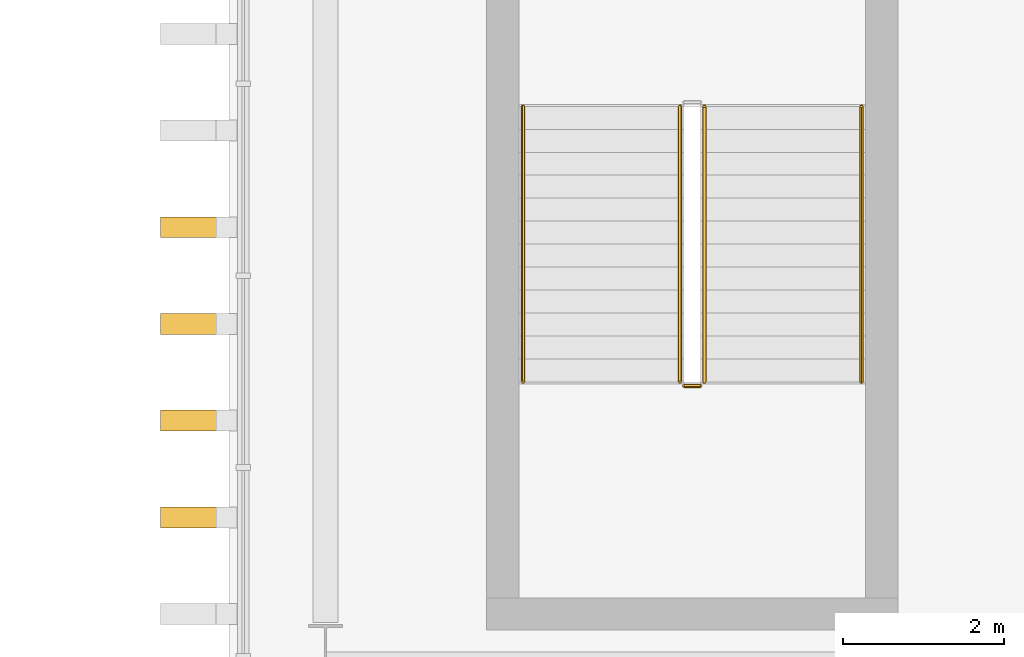
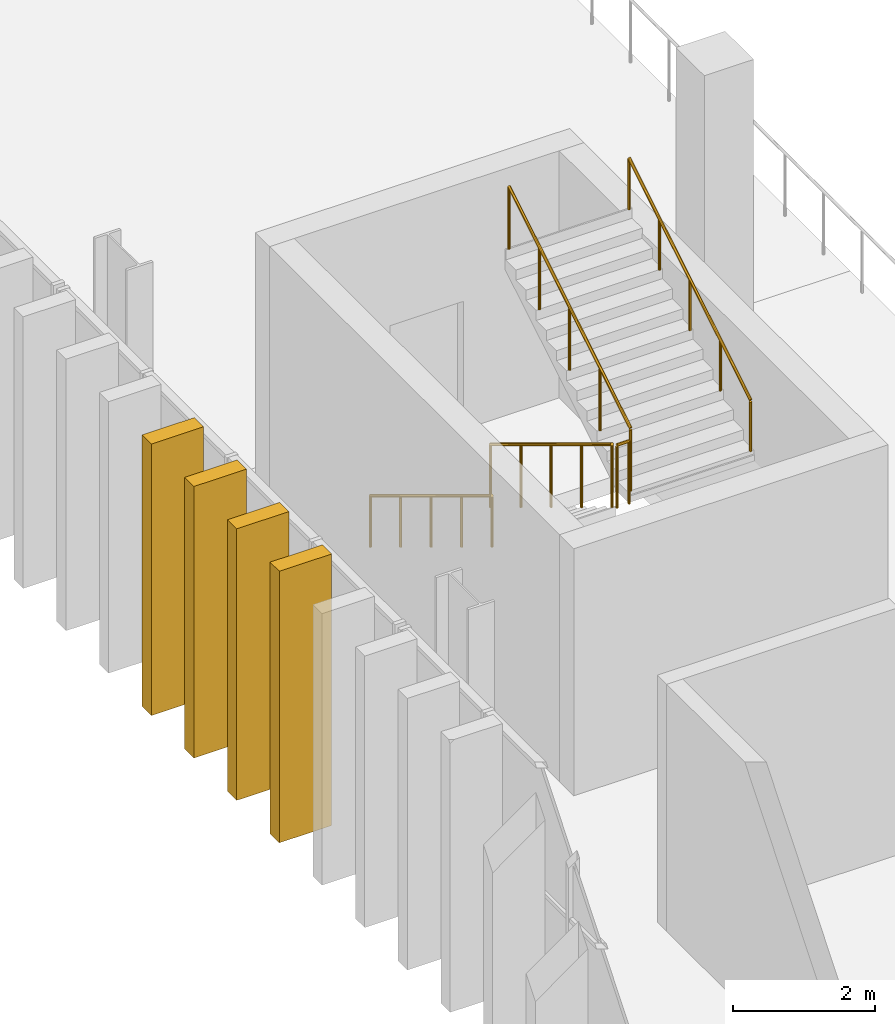
# One storey, part 62 of 75: 5 railings, 4 coverings.
"""IFC4 building model written with IfcOpenShell, lengths in metres."""

from ifc_helpers import new_model, si_unit, direction, frame, origin, origin_2d, place, context, subcontext, project, spatial, rectangle, circle, extrude, material, material_profile, profile_set, type_object, element, save


model = new_model("IFC4")

# Units and contexts
model_context = context("Model", 3, precision=1e-05, world=origin(), true_north=direction((0.0, 1.0)))
body_context = subcontext(model_context, "Body", "Model", "MODEL_VIEW")
ifc_project = project(units=[si_unit("LENGTHUNIT", "METRE"), si_unit("AREAUNIT", "SQUARE_METRE"), si_unit("VOLUMEUNIT", "CUBIC_METRE"), si_unit("PLANEANGLEUNIT", "RADIAN"), si_unit("MASSUNIT", "GRAM", prefix="KILO")], contexts=[model_context])

# Site, building, storey
site_placement = place(None, origin())
site = spatial("IfcSite", under=ifc_project, at=site_placement, CompositionType="ELEMENT")
building_placement = place(site_placement, origin())
building = spatial("IfcBuilding", under=site, at=building_placement, Name="Caelomonte Colonnade Arena", CompositionType="ELEMENT")
storey_placement = place(building_placement, frame((0.0, 0.0, 14.10009765625)))
storey = spatial("IfcBuildingStorey", under=building, at=storey_placement, Name="L03", CompositionType="ELEMENT", Elevation=14.10009765625)

# Coverings
ifc_material_1 = material(Name="Precast travertine cladding", Category="masonry")
ifc_material_profile = material_profile(ifc_material_1, rectangle(XDim=0.260009765625, YDim=0.85009765625, at=origin_2d()), Name="FIN260X850")
ifc_profile_set = profile_set([ifc_material_profile], Name="Precast travertine cladding")
covering_type = type_object("IfcCoveringType", Name="ENV-FN-SHAFT", PredefinedType="CLADDING", material=ifc_profile_set)
for number, where, z_axis, x_axis, name in (
    (1, (55.97900390625, 63.0, -0.16015625), (0.0, 0.0, 1.0), (0.0, 1.0, 0.0), "V1 L03 classical travertine vertical fin 196"),
    (2, (55.97900390625, 61.800048828125, -0.16015625), (0.0, 0.0, 1.0), (0.0, 1.0, 0.0), "V1 L03 classical travertine vertical fin 197"),
    (3, (55.97900390625, 60.60009765625, -0.16015625), (0.0, 0.0, 1.0), (0.0, 1.0, 0.0), "V1 L03 classical travertine vertical fin 198"),
    (4, (55.97900390625, 59.39990234375, -0.16015625), (0.0, 0.0, 1.0), (0.0, 1.0, 0.0), "V1 L03 classical travertine vertical fin 199"),
):
    element("IfcCovering", number, at=place(storey_placement, frame(where, z_axis=z_axis, x_axis=x_axis)), inside=storey, type_object=covering_type, Name=name, PredefinedType="CLADDING", context=body_context, shape_type="SweptSolid", body=[
        extrude(rectangle(XDim=0.260009765625, YDim=0.85009765625, at=origin_2d()), origin(), (0.0, 0.0, 1.0), 4.66015625),
    ])

# Railings
ifc_material_2 = material(Name="Painted galvanized steel stair guard", Category="steel")
railing_type_1 = type_object("IfcRailingType", Name="INT-RL-GRD", PredefinedType="GUARDRAIL", material=ifc_material_2)
railing_1_placement = place(storey_placement, frame((62.0, 64.5, 0.173095703125)))
element("IfcRailing", 5, at=railing_1_placement, inside=storey, type_object=railing_type_1, Name="L03 ST-09 stair guard 1", PredefinedType="GUARDRAIL", context=body_context, shape_type="SweptSolid", body=[
    extrude(circle(Radius=0.02392578125, at=origin_2d()), frame((0.0, 0.0, 1.076171875), z_axis=(0.0, -0.854729506542, 0.519073665916), x_axis=(1.0, 0.0, 0.0)), (0.0, 0.0, 1.0), 4.001220703125),
    extrude(circle(Radius=0.02099609375, at=origin_2d()), origin(), (0.0, 0.0, 1.0), 1.048095703125),
    extrude(circle(Radius=0.02099609375, at=origin_2d()), frame((0.0, -0.85498046875, 0.519287109375)), (0.0, 0.0, 1.0), 1.048095703125),
    extrude(circle(Radius=0.02099609375, at=origin_2d()), frame((0.0, -1.7099609375, 1.03857421875)), (0.0, 0.0, 1.0), 1.048095703125),
    extrude(circle(Radius=0.02099609375, at=origin_2d()), frame((0.0, -2.56494140625, 1.5576171875)), (0.0, 0.0, 1.0), 1.048095703125),
    extrude(circle(Radius=0.02099609375, at=origin_2d()), frame((0.0, -3.419921875, 2.076904296875)), (0.0, 0.0, 1.0), 1.048095703125),
])
railing_2_placement = place(storey_placement, frame((62.050048828125, 61.030029296875, 2.25)))
element("IfcRailing", 6, at=railing_2_placement, inside=storey, type_object=railing_type_1, Name="L03 ST-09 stair guard 2", PredefinedType="GUARDRAIL", context=body_context, shape_type="SweptSolid", body=[
    extrude(circle(Radius=0.02392578125, at=origin_2d()), frame((0.0, 0.0, 1.076171875), z_axis=(1.0, 0.0, 0.0), x_axis=(0.0, 1.0, 0.0)), (0.0, 0.0, 1.0), 0.199951171875),
    extrude(circle(Radius=0.02099609375, at=origin_2d()), origin(), (0.0, 0.0, 1.0), 1.048095703125),
    extrude(circle(Radius=0.02099609375, at=origin_2d()), frame((0.199951171875, 0.0, 0.0)), (0.0, 0.0, 1.0), 1.048095703125),
])
railing_3_placement = place(storey_placement, frame((62.300048828125, 61.080078125, 2.423095703125)))
element("IfcRailing", 7, at=railing_3_placement, inside=storey, type_object=railing_type_1, Name="L03 ST-09 stair guard 3", PredefinedType="GUARDRAIL", context=body_context, shape_type="SweptSolid", body=[
    extrude(circle(Radius=0.02392578125, at=origin_2d()), frame((0.0, 0.0, 1.076171875), z_axis=(0.0, 0.854729506542, 0.519073665916), x_axis=(-1.0, 0.0, 0.0)), (0.0, 0.0, 1.0), 4.001220703125),
    extrude(circle(Radius=0.02099609375, at=origin_2d()), origin(), (0.0, 0.0, 1.0), 1.048095703125),
    extrude(circle(Radius=0.02099609375, at=origin_2d()), frame((0.0, 0.85498046875, 0.519287109375)), (0.0, 0.0, 1.0), 1.048095703125),
    extrude(circle(Radius=0.02099609375, at=origin_2d()), frame((0.0, 1.7099609375, 1.03857421875)), (0.0, 0.0, 1.0), 1.048095703125),
    extrude(circle(Radius=0.02099609375, at=origin_2d()), frame((0.0, 2.56494140625, 1.5576171875)), (0.0, 0.0, 1.0), 1.048095703125),
    extrude(circle(Radius=0.02099609375, at=origin_2d()), frame((0.0, 3.419921875, 2.076904296875)), (0.0, 0.0, 1.0), 1.048095703125),
])
ifc_material_3 = material(Name="Brushed stainless steel stair handrail", Category="steel")
railing_type_2 = type_object("IfcRailingType", Name="INT-RL-HR", PredefinedType="HANDRAIL", material=ifc_material_3)
railing_4_placement = place(storey_placement, frame((60.050048828125, 64.5, 0.173095703125)))
element("IfcRailing", 8, at=railing_4_placement, inside=storey, type_object=railing_type_2, Name="L03 ST-09 stair handrail 1", PredefinedType="HANDRAIL", context=body_context, shape_type="SweptSolid", body=[
    extrude(circle(Radius=0.02392578125, at=origin_2d()), frame((0.0, 0.0, 0.8759765625), z_axis=(0.0, -0.854729506542, 0.519073665916), x_axis=(1.0, 0.0, 0.0)), (0.0, 0.0, 1.0), 4.001220703125),
    extrude(circle(Radius=0.02099609375, at=origin_2d()), origin(), (0.0, 0.0, 1.0), 0.847900390625),
    extrude(circle(Radius=0.02099609375, at=origin_2d()), frame((0.0, -0.85498046875, 0.519287109375)), (0.0, 0.0, 1.0), 0.847900390625),
    extrude(circle(Radius=0.02099609375, at=origin_2d()), frame((0.0, -1.7099609375, 1.03857421875)), (0.0, 0.0, 1.0), 0.847900390625),
    extrude(circle(Radius=0.02099609375, at=origin_2d()), frame((0.0, -2.56494140625, 1.5576171875)), (0.0, 0.0, 1.0), 0.847900390625),
    extrude(circle(Radius=0.02099609375, at=origin_2d()), frame((0.0, -3.419921875, 2.076904296875)), (0.0, 0.0, 1.0), 0.847900390625),
])
railing_5_placement = place(storey_placement, frame((64.25, 61.080078125, 2.423095703125)))
element("IfcRailing", 9, at=railing_5_placement, inside=storey, type_object=railing_type_2, Name="L03 ST-09 stair handrail 2", PredefinedType="HANDRAIL", context=body_context, shape_type="SweptSolid", body=[
    extrude(circle(Radius=0.02392578125, at=origin_2d()), frame((0.0, 0.0, 0.8759765625), z_axis=(0.0, 0.854729506542, 0.519073665916), x_axis=(-1.0, 0.0, 0.0)), (0.0, 0.0, 1.0), 4.001220703125),
    extrude(circle(Radius=0.02099609375, at=origin_2d()), origin(), (0.0, 0.0, 1.0), 0.847900390625),
    extrude(circle(Radius=0.02099609375, at=origin_2d()), frame((0.0, 0.85498046875, 0.519287109375)), (0.0, 0.0, 1.0), 0.847900390625),
    extrude(circle(Radius=0.02099609375, at=origin_2d()), frame((0.0, 1.7099609375, 1.03857421875)), (0.0, 0.0, 1.0), 0.847900390625),
    extrude(circle(Radius=0.02099609375, at=origin_2d()), frame((0.0, 2.56494140625, 1.5576171875)), (0.0, 0.0, 1.0), 0.847900390625),
    extrude(circle(Radius=0.02099609375, at=origin_2d()), frame((0.0, 3.419921875, 2.076904296875)), (0.0, 0.0, 1.0), 0.847900390625),
])

save(model, "model.ifc")
